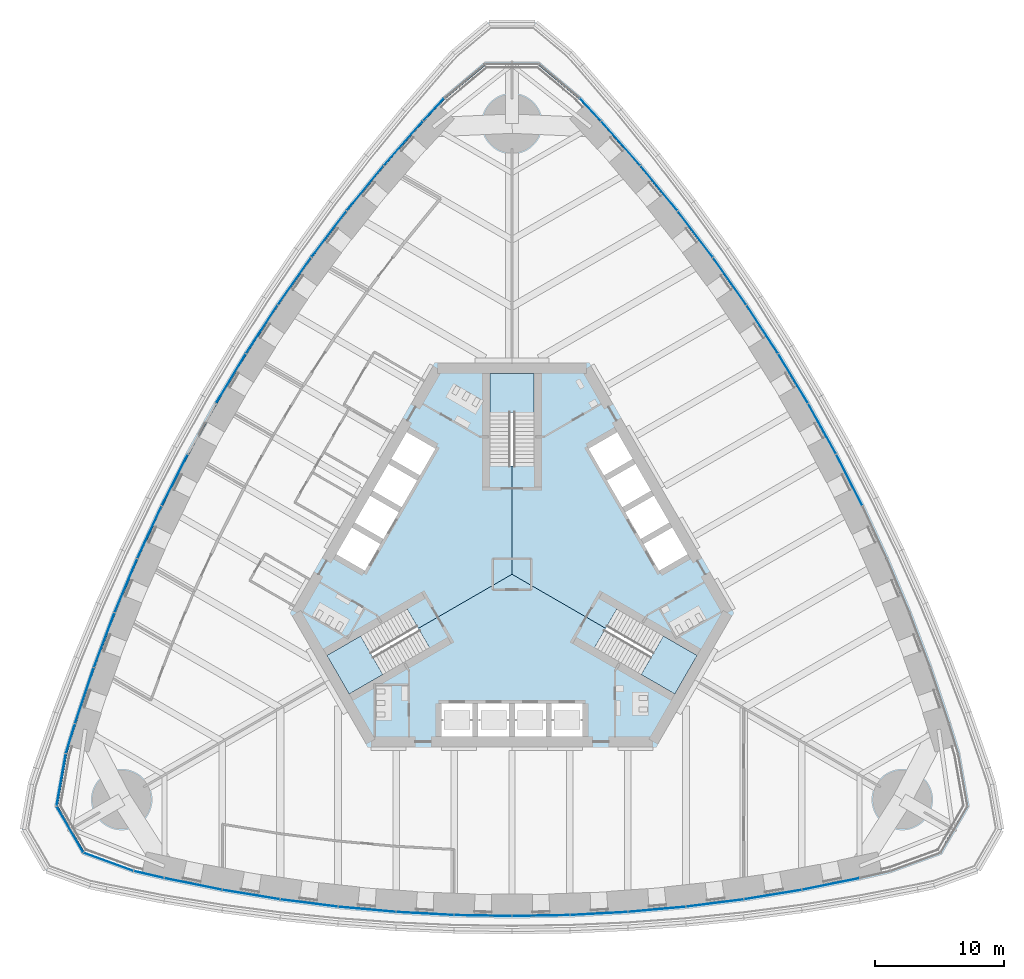
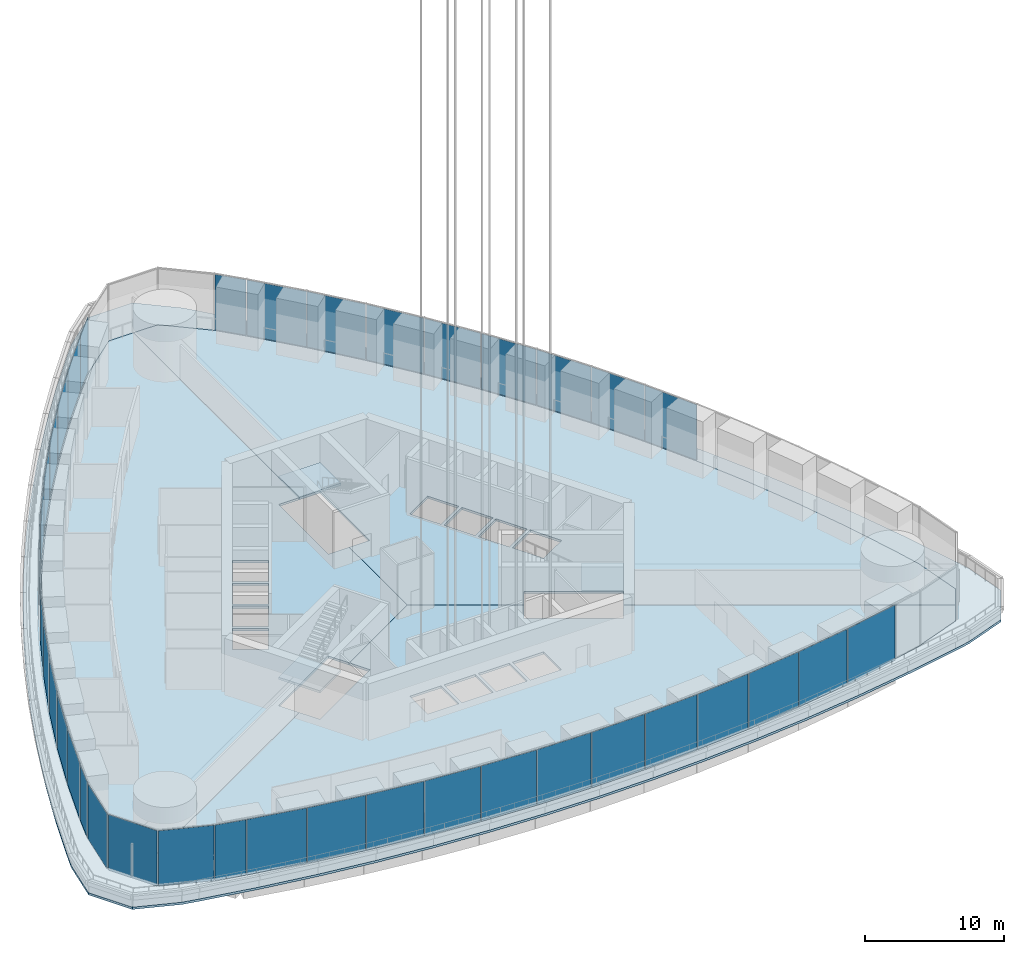
# One storey, part 12 of 33: 38 plates, 7 slabs, 8 elements without a shape of their own.
"""IFC4 building model written with IfcOpenShell, lengths in metres."""

from ifc_helpers import new_model, si_unit, direction, frame, origin, origin_2d, place, context, subcontext, project, spatial, polyline, rectangle, outline, extrude, material, layer, layer_set, type_object, element, aggregate, save


model = new_model("IFC4")

# Units and contexts
model_context = context("Model", 3, precision=1e-05, world=origin(), true_north=direction((0.0, 1.0)))
body_context = subcontext(model_context, "Body", "Model", "MODEL_VIEW")
ifc_project = project(units=[si_unit("LENGTHUNIT", "METRE"), si_unit("AREAUNIT", "SQUARE_METRE"), si_unit("VOLUMEUNIT", "CUBIC_METRE"), si_unit("PLANEANGLEUNIT", "RADIAN"), si_unit("MASSUNIT", "GRAM", prefix="KILO")], contexts=[model_context])

# Site, building, storey
site_placement = place(None, origin())
site = spatial("IfcSite", under=ifc_project, at=site_placement, CompositionType="ELEMENT")
building_placement = place(site_placement, origin())
building = spatial("IfcBuilding", under=site, at=building_placement, Name="Trefoil Bronze Tower", CompositionType="ELEMENT")
storey_placement = place(building_placement, frame((0.0, 0.0, 98.10009765625)))
storey = spatial("IfcBuildingStorey", under=building, at=storey_placement, Name="L22", CompositionType="ELEMENT", Elevation=98.10009765625)

# Curtain wall, plates
ifc_material_1 = material(Name="Tinted solar-control glass", Category="glass")
curtain_wall_type_1 = type_object("IfcCurtainWallType", Name="Bronze rounded corner curtain wall", PredefinedType="USERDEFINED", material=ifc_material_1)
curtain_wall_1_placement = place(storey_placement, origin())
curtain_wall_1 = element("IfcCurtainWall", 1, at=curtain_wall_1_placement, inside=storey, type_object=curtain_wall_type_1, Name="CW-B L22 K3", ObjectType="CURTAIN WALL", PredefinedType="USERDEFINED")
ifc_material_2 = material(Name="Tinted solar-control glass", Category="glass")
ifc_layer_1 = layer(ifc_material_2, 0.030029296875)
ifc_layer_set_1 = layer_set([ifc_layer_1], Name="Bronze rounded corner curtain wall glass panel")
plate_type_1 = type_object("IfcPlateType", Name="Bronze rounded corner curtain wall glass panel", PredefinedType="CURTAIN_PANEL", material=ifc_layer_set_1)
plate_1_placement = place(storey_placement, frame((-35.0087890625, -15.953369140625, 0.0), z_axis=(0.0, 0.0, 1.0), x_axis=(-0.173648177667, -0.984807753012, 0.0)))
plate_1 = element("IfcPlate", 2, at=plate_1_placement, type_object=plate_type_1, Name="CW-B L22 K3 panel 1", PredefinedType="CURTAIN_PANEL", context=body_context, shape_type="SweptSolid", body=[
    extrude(rectangle(XDim=4.044189453125, YDim=0.030029296875, at=origin_2d()), origin(), (0.0, 0.0, 1.0), 4.8798828125),
])
plate_2_placement = place(storey_placement, frame((-34.3271484375, -19.81884765625, 0.0), z_axis=(0.0, 0.0, 1.0), x_axis=(0.5, -0.866025403784, 0.0)))
plate_2 = element("IfcPlate", 3, at=plate_2_placement, type_object=plate_type_1, Name="CW-B L22 K3 panel 2", PredefinedType="CURTAIN_PANEL", context=body_context, shape_type="SweptSolid", body=[
    extrude(rectangle(XDim=4.044189453125, YDim=0.030029296875, at=origin_2d()), origin(), (0.0, 0.0, 1.0), 4.8798828125),
])
plate_3_placement = place(storey_placement, frame((-31.3203125, -22.341796875, 0.0), z_axis=(0.0, 0.0, 1.0), x_axis=(0.939692620786, -0.342020143326, 0.0)))
plate_3 = element("IfcPlate", 4, at=plate_3_placement, type_object=plate_type_1, Name="CW-B L22 K3 panel 3", PredefinedType="CURTAIN_PANEL", context=body_context, shape_type="SweptSolid", body=[
    extrude(rectangle(XDim=4.044189453125, YDim=0.030029296875, at=origin_2d()), origin(), (0.0, 0.0, 1.0), 4.8798828125),
])
aggregate(curtain_wall_1, [plate_1, plate_2, plate_3])

ifc_material_3 = material(Name="Tinted solar-control glass", Category="glass")
curtain_wall_type_2 = type_object("IfcCurtainWallType", Name="Bronze sky lobby curtain wall", PredefinedType="USERDEFINED", material=ifc_material_3)
curtain_wall_2_placement = place(storey_placement, origin())
curtain_wall_2 = element("IfcCurtainWall", 5, at=curtain_wall_2_placement, inside=storey, type_object=curtain_wall_type_2, Name="CW-D L22 F1", ObjectType="CURTAIN WALL", PredefinedType="USERDEFINED")
ifc_material_4 = material(Name="Tinted solar-control glass", Category="glass")
ifc_layer_2 = layer(ifc_material_4, 0.030029296875)
ifc_layer_set_2 = layer_set([ifc_layer_2], Name="Bronze sky lobby curtain wall glass panel")
plate_type_2 = type_object("IfcPlateType", Name="Bronze sky lobby curtain wall glass panel", PredefinedType="CURTAIN_PANEL", material=ifc_layer_set_2)
plate_4_placement = place(storey_placement, frame((-28.201416015625, -23.320068359375, 0.0), z_axis=(0.0, 0.0, 1.0), x_axis=(0.97420444715, -0.225667222151, 0.0)))
plate_4 = element("IfcPlate", 6, at=plate_4_placement, type_object=plate_type_2, Name="CW-D L22 F1 panel 1", PredefinedType="CURTAIN_PANEL", context=body_context, shape_type="SweptSolid", body=[
    extrude(rectangle(XDim=2.360107421875, YDim=0.030029296875, at=origin_2d()), origin(), (0.0, 0.0, 1.0), 4.8798828125),
])
plate_5_placement = place(storey_placement, frame((-24.769775390625, -24.048828125, 0.0), z_axis=(0.0, 0.0, 1.0), x_axis=(0.980155155547, -0.198231861853, 0.0)))
plate_5 = element("IfcPlate", 7, at=plate_5_placement, type_object=plate_type_2, Name="CW-D L22 F1 panel 2", PredefinedType="CURTAIN_PANEL", context=body_context, shape_type="SweptSolid", body=[
    extrude(rectangle(XDim=4.531005859375, YDim=0.030029296875, at=origin_2d()), origin(), (0.0, 0.0, 1.0), 4.8798828125),
])
plate_6_placement = place(storey_placement, frame((-20.26611328125, -24.87451171875, 0.0), z_axis=(0.0, 0.0, 1.0), x_axis=(0.986759655731, -0.162189339418, 0.0)))
plate_6 = element("IfcPlate", 8, at=plate_6_placement, type_object=plate_type_2, Name="CW-D L22 F1 panel 3", PredefinedType="CURTAIN_PANEL", context=body_context, shape_type="SweptSolid", body=[
    extrude(rectangle(XDim=4.50048828125, YDim=0.030029296875, at=origin_2d()), origin(), (0.0, 0.0, 1.0), 4.8798828125),
])
plate_7_placement = place(storey_placement, frame((-15.7626953125, -25.53076171875, 0.0), z_axis=(0.0, 0.0, 1.0), x_axis=(0.992011554286, -0.126147041833, 0.0)))
plate_7 = element("IfcPlate", 9, at=plate_7_placement, type_object=plate_type_2, Name="CW-D L22 F1 panel 4", PredefinedType="CURTAIN_PANEL", context=body_context, shape_type="SweptSolid", body=[
    extrude(rectangle(XDim=4.476318359375, YDim=0.030029296875, at=origin_2d()), origin(), (0.0, 0.0, 1.0), 4.8798828125),
])
plate_8_placement = place(storey_placement, frame((-11.259033203125, -26.02099609375, 0.0), z_axis=(0.0, 0.0, 1.0), x_axis=(0.995932279146, -0.090104913044, 0.0)))
plate_8 = element("IfcPlate", 10, at=plate_8_placement, type_object=plate_type_2, Name="CW-D L22 F1 panel 5", PredefinedType="CURTAIN_PANEL", context=body_context, shape_type="SweptSolid", body=[
    extrude(rectangle(XDim=4.45849609375, YDim=0.030029296875, at=origin_2d()), origin(), (0.0, 0.0, 1.0), 4.8798828125),
])
plate_9_placement = place(storey_placement, frame((-6.75537109375, -26.3466796875, 0.0), z_axis=(0.0, 0.0, 1.0), x_axis=(0.998537531923, -0.054062901701, 0.0)))
plate_9 = element("IfcPlate", 11, at=plate_9_placement, type_object=plate_type_2, Name="CW-D L22 F1 panel 6", PredefinedType="CURTAIN_PANEL", context=body_context, shape_type="SweptSolid", body=[
    extrude(rectangle(XDim=4.446533203125, YDim=0.030029296875, at=origin_2d()), origin(), (0.0, 0.0, 1.0), 4.8798828125),
])
plate_10_placement = place(storey_placement, frame((-2.251708984375, -26.509033203125, 0.0), z_axis=(0.0, 0.0, 1.0), x_axis=(0.999837609322, -0.018020959612, 0.0)))
plate_10 = element("IfcPlate", 12, at=plate_10_placement, type_object=plate_type_2, Name="CW-D L22 F1 panel 7", PredefinedType="CURTAIN_PANEL", context=body_context, shape_type="SweptSolid", body=[
    extrude(rectangle(XDim=4.440673828125, YDim=0.030029296875, at=origin_2d()), origin(), (0.0, 0.0, 1.0), 4.8798828125),
])
plate_11_placement = place(storey_placement, frame((2.251708984375, -26.509033203125, 0.0), z_axis=(0.0, 0.0, 1.0), x_axis=(0.999837609322, 0.018020959612, 0.0)))
plate_11 = element("IfcPlate", 13, at=plate_11_placement, type_object=plate_type_2, Name="CW-D L22 F1 panel 8", PredefinedType="CURTAIN_PANEL", context=body_context, shape_type="SweptSolid", body=[
    extrude(rectangle(XDim=4.440673828125, YDim=0.030029296875, at=origin_2d()), origin(), (0.0, 0.0, 1.0), 4.8798828125),
])
plate_12_placement = place(storey_placement, frame((6.75537109375, -26.3466796875, 0.0), z_axis=(0.0, 0.0, 1.0), x_axis=(0.998537531923, 0.054062901701, 0.0)))
plate_12 = element("IfcPlate", 14, at=plate_12_placement, type_object=plate_type_2, Name="CW-D L22 F1 panel 9", PredefinedType="CURTAIN_PANEL", context=body_context, shape_type="SweptSolid", body=[
    extrude(rectangle(XDim=4.446533203125, YDim=0.030029296875, at=origin_2d()), origin(), (0.0, 0.0, 1.0), 4.8798828125),
])
plate_13_placement = place(storey_placement, frame((11.259033203125, -26.02099609375, 0.0), z_axis=(0.0, 0.0, 1.0), x_axis=(0.995932279146, 0.090104913044, 0.0)))
plate_13 = element("IfcPlate", 15, at=plate_13_placement, type_object=plate_type_2, Name="CW-D L22 F1 panel 10", PredefinedType="CURTAIN_PANEL", context=body_context, shape_type="SweptSolid", body=[
    extrude(rectangle(XDim=4.45849609375, YDim=0.030029296875, at=origin_2d()), origin(), (0.0, 0.0, 1.0), 4.8798828125),
])
plate_14_placement = place(storey_placement, frame((15.7626953125, -25.53076171875, 0.0), z_axis=(0.0, 0.0, 1.0), x_axis=(0.992011554286, 0.126147041833, 0.0)))
plate_14 = element("IfcPlate", 16, at=plate_14_placement, type_object=plate_type_2, Name="CW-D L22 F1 panel 11", PredefinedType="CURTAIN_PANEL", context=body_context, shape_type="SweptSolid", body=[
    extrude(rectangle(XDim=4.476318359375, YDim=0.030029296875, at=origin_2d()), origin(), (0.0, 0.0, 1.0), 4.8798828125),
])
plate_15_placement = place(storey_placement, frame((20.26611328125, -24.87451171875, 0.0), z_axis=(0.0, 0.0, 1.0), x_axis=(0.986759655731, 0.162189339418, 0.0)))
plate_15 = element("IfcPlate", 17, at=plate_15_placement, type_object=plate_type_2, Name="CW-D L22 F1 panel 12", PredefinedType="CURTAIN_PANEL", context=body_context, shape_type="SweptSolid", body=[
    extrude(rectangle(XDim=4.50048828125, YDim=0.030029296875, at=origin_2d()), origin(), (0.0, 0.0, 1.0), 4.8798828125),
])
plate_16_placement = place(storey_placement, frame((24.769775390625, -24.048828125, 0.0), z_axis=(0.0, 0.0, 1.0), x_axis=(0.980155155547, 0.198231861853, 0.0)))
plate_16 = element("IfcPlate", 18, at=plate_16_placement, type_object=plate_type_2, Name="CW-D L22 F1 panel 13", PredefinedType="CURTAIN_PANEL", context=body_context, shape_type="SweptSolid", body=[
    extrude(rectangle(XDim=4.531005859375, YDim=0.030029296875, at=origin_2d()), origin(), (0.0, 0.0, 1.0), 4.8798828125),
])
aggregate(curtain_wall_2, [plate_4, plate_5, plate_6, plate_7, plate_8, plate_9, plate_10, plate_11, plate_12, plate_13, plate_14, plate_15, plate_16])

curtain_wall_3_placement = place(storey_placement, origin())
curtain_wall_3 = element("IfcCurtainWall", 19, at=curtain_wall_3_placement, inside=storey, type_object=curtain_wall_type_2, Name="CW-D L22 F2", ObjectType="CURTAIN WALL", PredefinedType="USERDEFINED")
plate_17_placement = place(storey_placement, frame((26.194580078125, 7.322998046875, 0.0), z_axis=(0.0, 0.0, 1.0), x_axis=(-0.452448919686, 0.891790320128, 0.0)))
plate_17 = element("IfcPlate", 20, at=plate_17_placement, type_object=plate_type_2, Name="CW-D L22 F2 panel 6", PredefinedType="CURTAIN_PANEL", context=body_context, shape_type="SweptSolid", body=[
    extrude(rectangle(XDim=4.446533203125, YDim=0.030029296875, at=origin_2d()), origin(), (0.0, 0.0, 1.0), 4.8798828125),
])
plate_18_placement = place(storey_placement, frame((24.08349609375, 11.304443359375, 0.0), z_axis=(0.0, 0.0, 1.0), x_axis=(-0.484312195836, 0.874895249138, 0.0)))
plate_18 = element("IfcPlate", 21, at=plate_18_placement, type_object=plate_type_2, Name="CW-D L22 F2 panel 7", PredefinedType="CURTAIN_PANEL", context=body_context, shape_type="SweptSolid", body=[
    extrude(rectangle(XDim=4.440673828125, YDim=0.030029296875, at=origin_2d()), origin(), (0.0, 0.0, 1.0), 4.8798828125),
])
plate_19_placement = place(storey_placement, frame((21.83154296875, 15.20458984375, 0.0), z_axis=(0.0, 0.0, 1.0), x_axis=(-0.515525413486, 0.856874289526, 0.0)))
plate_19 = element("IfcPlate", 22, at=plate_19_placement, type_object=plate_type_2, Name="CW-D L22 F2 panel 8", PredefinedType="CURTAIN_PANEL", context=body_context, shape_type="SweptSolid", body=[
    extrude(rectangle(XDim=4.440673828125, YDim=0.030029296875, at=origin_2d()), origin(), (0.0, 0.0, 1.0), 4.8798828125),
])
plate_20_placement = place(storey_placement, frame((19.439208984375, 19.023681640625, 0.0), z_axis=(0.0, 0.0, 1.0), x_axis=(-0.546088612237, 0.837727418427, 0.0)))
plate_20 = element("IfcPlate", 23, at=plate_20_placement, type_object=plate_type_2, Name="CW-D L22 F2 panel 9", PredefinedType="CURTAIN_PANEL", context=body_context, shape_type="SweptSolid", body=[
    extrude(rectangle(XDim=4.446533203125, YDim=0.030029296875, at=origin_2d()), origin(), (0.0, 0.0, 1.0), 4.8798828125),
])
plate_21_placement = place(storey_placement, frame((16.9052734375, 22.760986328125, 0.0), z_axis=(0.0, 0.0, 1.0), x_axis=(-0.575999283275, 0.817450197667, 0.0)))
plate_21 = element("IfcPlate", 24, at=plate_21_placement, type_object=plate_type_2, Name="CW-D L22 F2 panel 10", PredefinedType="CURTAIN_PANEL", context=body_context, shape_type="SweptSolid", body=[
    extrude(rectangle(XDim=4.45849609375, YDim=0.030029296875, at=origin_2d()), origin(), (0.0, 0.0, 1.0), 4.8798828125),
])
plate_22_placement = place(storey_placement, frame((14.22900390625, 26.416259765625, 0.0), z_axis=(0.0, 0.0, 1.0), x_axis=(-0.605252319983, 0.796033685943, 0.0)))
plate_22 = element("IfcPlate", 25, at=plate_22_placement, type_object=plate_type_2, Name="CW-D L22 F2 panel 11", PredefinedType="CURTAIN_PANEL", context=body_context, shape_type="SweptSolid", body=[
    extrude(rectangle(XDim=4.476318359375, YDim=0.030029296875, at=origin_2d()), origin(), (0.0, 0.0, 1.0), 4.8798828125),
])
plate_23_placement = place(storey_placement, frame((11.40869140625, 29.98828125, 0.0), z_axis=(0.0, 0.0, 1.0), x_axis=(-0.633839916024, 0.773464259584, 0.0)))
plate_23 = element("IfcPlate", 26, at=plate_23_placement, type_object=plate_type_2, Name="CW-D L22 F2 panel 12", PredefinedType="CURTAIN_PANEL", context=body_context, shape_type="SweptSolid", body=[
    extrude(rectangle(XDim=4.50048828125, YDim=0.030029296875, at=origin_2d()), origin(), (0.0, 0.0, 1.0), 4.8798828125),
])
plate_24_placement = place(storey_placement, frame((8.442138671875, 33.475830078125, 0.0), z_axis=(0.0, 0.0, 1.0), x_axis=(-0.661751405978, 0.749723333428, 0.0)))
plate_24 = element("IfcPlate", 27, at=plate_24_placement, type_object=plate_type_2, Name="CW-D L22 F2 panel 13", PredefinedType="CURTAIN_PANEL", context=body_context, shape_type="SweptSolid", body=[
    extrude(rectangle(XDim=4.531005859375, YDim=0.030029296875, at=origin_2d()), origin(), (0.0, 0.0, 1.0), 4.8798828125),
])
plate_25_placement = place(storey_placement, frame((6.09521484375, 36.083251953125, 0.0), z_axis=(0.0, 0.0, 1.0), x_axis=(-0.682535770759, 0.730852188636, 0.0)))
plate_25 = element("IfcPlate", 28, at=plate_25_placement, type_object=plate_type_2, Name="CW-D L22 F2 panel 14", PredefinedType="CURTAIN_PANEL", context=body_context, shape_type="SweptSolid", body=[
    extrude(rectangle(XDim=2.360107421875, YDim=0.030029296875, at=origin_2d()), origin(), (0.0, 0.0, 1.0), 4.8798828125),
])
aggregate(curtain_wall_3, [plate_17, plate_18, plate_19, plate_20, plate_21, plate_22, plate_23, plate_24, plate_25])

curtain_wall_4_placement = place(storey_placement, origin())
curtain_wall_4 = element("IfcCurtainWall", 29, at=curtain_wall_4_placement, inside=storey, type_object=curtain_wall_type_2, Name="CW-D L22 F3 run 1", ObjectType="CURTAIN WALL", PredefinedType="USERDEFINED")
plate_26_placement = place(storey_placement, frame((-6.09521484375, 36.083251953125, 0.0), z_axis=(0.0, 0.0, 1.0), x_axis=(-0.682535770759, -0.730852188636, 0.0)))
plate_26 = element("IfcPlate", 30, at=plate_26_placement, type_object=plate_type_2, Name="CW-D L22 F3 run 1 panel 1", PredefinedType="CURTAIN_PANEL", context=body_context, shape_type="SweptSolid", body=[
    extrude(rectangle(XDim=2.360107421875, YDim=0.030029296875, at=origin_2d()), origin(), (0.0, 0.0, 1.0), 4.8798828125),
])
plate_27_placement = place(storey_placement, frame((-8.442138671875, 33.475830078125, 0.0), z_axis=(0.0, 0.0, 1.0), x_axis=(-0.661751405978, -0.749723333428, 0.0)))
plate_27 = element("IfcPlate", 31, at=plate_27_placement, type_object=plate_type_2, Name="CW-D L22 F3 run 1 panel 2", PredefinedType="CURTAIN_PANEL", context=body_context, shape_type="SweptSolid", body=[
    extrude(rectangle(XDim=4.531005859375, YDim=0.030029296875, at=origin_2d()), origin(), (0.0, 0.0, 1.0), 4.8798828125),
])
plate_28_placement = place(storey_placement, frame((-11.40869140625, 29.98828125, 0.0), z_axis=(0.0, 0.0, 1.0), x_axis=(-0.633839916024, -0.773464259584, 0.0)))
plate_28 = element("IfcPlate", 32, at=plate_28_placement, type_object=plate_type_2, Name="CW-D L22 F3 run 1 panel 3", PredefinedType="CURTAIN_PANEL", context=body_context, shape_type="SweptSolid", body=[
    extrude(rectangle(XDim=4.50048828125, YDim=0.030029296875, at=origin_2d()), origin(), (0.0, 0.0, 1.0), 4.8798828125),
])
plate_29_placement = place(storey_placement, frame((-14.22900390625, 26.416259765625, 0.0), z_axis=(0.0, 0.0, 1.0), x_axis=(-0.605252319983, -0.796033685943, 0.0)))
plate_29 = element("IfcPlate", 33, at=plate_29_placement, type_object=plate_type_2, Name="CW-D L22 F3 run 1 panel 4", PredefinedType="CURTAIN_PANEL", context=body_context, shape_type="SweptSolid", body=[
    extrude(rectangle(XDim=4.476318359375, YDim=0.030029296875, at=origin_2d()), origin(), (0.0, 0.0, 1.0), 4.8798828125),
])
plate_30_placement = place(storey_placement, frame((-16.9052734375, 22.760986328125, 0.0), z_axis=(0.0, 0.0, 1.0), x_axis=(-0.575999283275, -0.817450197667, 0.0)))
plate_30 = element("IfcPlate", 34, at=plate_30_placement, type_object=plate_type_2, Name="CW-D L22 F3 run 1 panel 5", PredefinedType="CURTAIN_PANEL", context=body_context, shape_type="SweptSolid", body=[
    extrude(rectangle(XDim=4.45849609375, YDim=0.030029296875, at=origin_2d()), origin(), (0.0, 0.0, 1.0), 4.8798828125),
])
plate_31_placement = place(storey_placement, frame((-19.439208984375, 19.023681640625, 0.0), z_axis=(0.0, 0.0, 1.0), x_axis=(-0.546088612237, -0.837727418427, 0.0)))
plate_31 = element("IfcPlate", 35, at=plate_31_placement, type_object=plate_type_2, Name="CW-D L22 F3 run 1 panel 6", PredefinedType="CURTAIN_PANEL", context=body_context, shape_type="SweptSolid", body=[
    extrude(rectangle(XDim=4.446533203125, YDim=0.030029296875, at=origin_2d()), origin(), (0.0, 0.0, 1.0), 4.8798828125),
])
plate_32_placement = place(storey_placement, frame((-21.83154296875, 15.20458984375, 0.0), z_axis=(0.0, 0.0, 1.0), x_axis=(-0.515525413486, -0.856874289526, 0.0)))
plate_32 = element("IfcPlate", 36, at=plate_32_placement, type_object=plate_type_2, Name="CW-D L22 F3 run 1 panel 7", PredefinedType="CURTAIN_PANEL", context=body_context, shape_type="SweptSolid", body=[
    extrude(rectangle(XDim=4.440673828125, YDim=0.030029296875, at=origin_2d()), origin(), (0.0, 0.0, 1.0), 4.8798828125),
])
aggregate(curtain_wall_4, [plate_26, plate_27, plate_28, plate_29, plate_30, plate_31, plate_32])

curtain_wall_5_placement = place(storey_placement, origin())
curtain_wall_5 = element("IfcCurtainWall", 37, at=curtain_wall_5_placement, inside=storey, type_object=curtain_wall_type_2, Name="CW-D L22 F3 run 3", ObjectType="CURTAIN WALL", PredefinedType="USERDEFINED")
plate_33_placement = place(storey_placement, frame((-26.194580078125, 7.322998046875, 0.0), z_axis=(0.0, 0.0, 1.0), x_axis=(-0.452448919686, -0.891790320128, 0.0)))
plate_33 = element("IfcPlate", 38, at=plate_33_placement, type_object=plate_type_2, Name="CW-D L22 F3 run 3 panel 1", PredefinedType="CURTAIN_PANEL", context=body_context, shape_type="SweptSolid", body=[
    extrude(rectangle(XDim=4.446533203125, YDim=0.030029296875, at=origin_2d()), origin(), (0.0, 0.0, 1.0), 4.8798828125),
])
plate_34_placement = place(storey_placement, frame((-28.164306640625, 3.260009765625, 0.0), z_axis=(0.0, 0.0, 1.0), x_axis=(-0.419932995871, -0.907555110712, 0.0)))
plate_34 = element("IfcPlate", 39, at=plate_34_placement, type_object=plate_type_2, Name="CW-D L22 F3 run 3 panel 2", PredefinedType="CURTAIN_PANEL", context=body_context, shape_type="SweptSolid", body=[
    extrude(rectangle(XDim=4.45849609375, YDim=0.030029296875, at=origin_2d()), origin(), (0.0, 0.0, 1.0), 4.8798828125),
])
plate_35_placement = place(storey_placement, frame((-29.99169921875, -0.885498046875, 0.0), z_axis=(0.0, 0.0, 1.0), x_axis=(-0.386759234303, -0.922180727776, 0.0)))
plate_35 = element("IfcPlate", 40, at=plate_35_placement, type_object=plate_type_2, Name="CW-D L22 F3 run 3 panel 3", PredefinedType="CURTAIN_PANEL", context=body_context, shape_type="SweptSolid", body=[
    extrude(rectangle(XDim=4.476318359375, YDim=0.030029296875, at=origin_2d()), origin(), (0.0, 0.0, 1.0), 4.8798828125),
])
plate_36_placement = place(storey_placement, frame((-31.675048828125, -5.11376953125, 0.0), z_axis=(0.0, 0.0, 1.0), x_axis=(-0.352919739707, -0.935653599002, 0.0)))
plate_36 = element("IfcPlate", 41, at=plate_36_placement, type_object=plate_type_2, Name="CW-D L22 F3 run 3 panel 4", PredefinedType="CURTAIN_PANEL", context=body_context, shape_type="SweptSolid", body=[
    extrude(rectangle(XDim=4.50048828125, YDim=0.030029296875, at=origin_2d()), origin(), (0.0, 0.0, 1.0), 4.8798828125),
])
plate_37_placement = place(storey_placement, frame((-33.2119140625, -9.4267578125, 0.0), z_axis=(0.0, 0.0, 1.0), x_axis=(-0.318403749569, -0.947955195281, 0.0)))
plate_37 = element("IfcPlate", 42, at=plate_37_placement, type_object=plate_type_2, Name="CW-D L22 F3 run 3 panel 5", PredefinedType="CURTAIN_PANEL", context=body_context, shape_type="SweptSolid", body=[
    extrude(rectangle(XDim=4.531005859375, YDim=0.030029296875, at=origin_2d()), origin(), (0.0, 0.0, 1.0), 4.8798828125),
])
plate_38_placement = place(storey_placement, frame((-34.296630859375, -12.762939453125, 0.0), z_axis=(0.0, 0.0, 1.0), x_axis=(-0.291668676391, -0.956519410787, 0.0)))
plate_38 = element("IfcPlate", 43, at=plate_38_placement, type_object=plate_type_2, Name="CW-D L22 F3 run 3 panel 6", PredefinedType="CURTAIN_PANEL", context=body_context, shape_type="SweptSolid", body=[
    extrude(rectangle(XDim=2.360107421875, YDim=0.030029296875, at=origin_2d()), origin(), (0.0, 0.0, 1.0), 4.8798828125),
])
aggregate(curtain_wall_5, [plate_33, plate_34, plate_35, plate_36, plate_37, plate_38])

# Slabs
ifc_material_5 = material(Name="Concrete B30", Category="concrete")
ifc_layer_3 = layer(ifc_material_5, 0.199951171875)
ifc_layer_set_3 = layer_set([ifc_layer_3], Name="Floor slab 200")
slab_type_1 = type_object("IfcSlabType", Name="Floor slab 200", PredefinedType="FLOOR", material=ifc_layer_set_3)
slab_1_placement = place(storey_placement, frame((0.0, 0.0, -0.2001953125)))
element("IfcSlab", 44, at=slab_1_placement, inside=storey, type_object=slab_type_1, Name="Floor slab L22 face 1", PredefinedType="FLOOR", context=body_context, shape_type="SweptSolid", body=[
    extrude(outline(polyline([(22.5, -24.406005859375), (18.0, -25.1455078125), (13.5, -25.7177734375), (9.0, -26.125), (4.5, -26.36865234375), (0.0, -26.44970703125), (-4.5, -26.36865234375), (-9.0, -26.125), (-13.5, -25.7177734375), (-18.0, -25.1455078125), (-22.5, -24.406005859375), (-27.0, -23.495849609375), (-29.357666015625, -22.94970703125), (-33.21435546875, -21.5458984375), (-34.240478515625, -19.768798828125), (-13.510009765625, -7.800048828125), (-12.6474609375, -9.2939453125), (-6.412109375, -5.69384765625), (-7.274658203125, -4.199951171875), (0.0, 0.0), (7.274658203125, -4.199951171875), (6.412109375, -5.69384765625), (12.6474609375, -9.2939453125), (13.510009765625, -7.800048828125), (34.240478515625, -19.768798828125), (33.21435546875, -21.5458984375), (29.357666015625, -22.94970703125), (27.0, -23.495849609375), (22.5, -24.406005859375)]), holes=[polyline([(-5.574951171875, -10.02490234375), (-2.97509765625, -10.02490234375), (-2.97509765625, -12.60009765625), (-5.574951171875, -12.60009765625), (-5.574951171875, -10.02490234375)]), polyline([(-2.72509765625, -10.02490234375), (-0.125, -10.02490234375), (-0.125, -12.60009765625), (-2.72509765625, -12.60009765625), (-2.72509765625, -10.02490234375)]), polyline([(0.125, -10.02490234375), (2.72509765625, -10.02490234375), (2.72509765625, -12.60009765625), (0.125, -12.60009765625), (0.125, -10.02490234375)]), polyline([(2.97509765625, -10.02490234375), (5.574951171875, -10.02490234375), (5.574951171875, -12.60009765625), (2.97509765625, -12.60009765625), (2.97509765625, -10.02490234375)])]), origin(), (0.0, 0.0, 1.0), 0.2001953125),
])
slab_2_placement = place(storey_placement, frame((0.0, 0.0, -0.2001953125)))
element("IfcSlab", 45, at=slab_2_placement, inside=storey, type_object=slab_type_1, Name="Floor slab L22 face 2", PredefinedType="FLOOR", context=body_context, shape_type="SweptSolid", body=[
    extrude(outline(polyline([(9.88623046875, 31.6884765625), (12.776611328125, 28.1611328125), (15.522216796875, 24.55029296875), (18.124755859375, 20.856689453125), (20.5859375, 17.081298828125), (22.906005859375, 13.224853515625), (25.0859375, 9.287109375), (27.124755859375, 5.268310546875), (29.022216796875, 1.16748046875), (30.776611328125, -3.015625), (32.38623046875, -7.28271484375), (33.847900390625, -11.634765625), (34.553955078125, -13.94970703125), (35.2666015625, -17.991455078125), (34.240478515625, -19.768798828125), (13.510009765625, -7.800048828125), (14.37255859375, -6.30615234375), (8.13720703125, -2.7060546875), (7.274658203125, -4.199951171875), (0.0, 0.0), (0.0, 8.39990234375), (1.72509765625, 8.39990234375), (1.72509765625, 15.60009765625), (0.0, 15.60009765625), (0.0, 39.53759765625), (2.052001953125, 39.53759765625), (5.196044921875, 36.8994140625), (6.847900390625, 35.130615234375), (9.88623046875, 31.6884765625)]), holes=[polyline([(11.469482421875, 0.184326171875), (10.16943359375, 2.43603515625), (12.3994140625, 3.7236328125), (13.699462890625, 1.471923828125), (11.469482421875, 0.184326171875)]), polyline([(10.04443359375, 2.652587890625), (8.744384765625, 4.904296875), (10.974365234375, 6.191650390625), (12.2744140625, 3.940185546875), (10.04443359375, 2.652587890625)]), polyline([(8.619384765625, 5.120849609375), (7.3193359375, 7.372314453125), (9.54931640625, 8.659912109375), (10.849365234375, 6.408203125), (8.619384765625, 5.120849609375)]), polyline([(7.1943359375, 7.5888671875), (5.894287109375, 9.840576171875), (8.12451171875, 11.128173828125), (9.42431640625, 8.87646484375), (7.1943359375, 7.5888671875)])]), origin(), (0.0, 0.0, 1.0), 0.2001953125),
])
slab_3_placement = place(storey_placement, frame((0.0, 0.0, -0.2001953125)))
element("IfcSlab", 46, at=slab_3_placement, inside=storey, type_object=slab_type_1, Name="Floor slab L22 face 3", PredefinedType="FLOOR", context=body_context, shape_type="SweptSolid", body=[
    extrude(outline(polyline([(-32.38623046875, -7.28271484375), (-30.776611328125, -3.015625), (-29.022216796875, 1.16748046875), (-27.124755859375, 5.268310546875), (-25.0859375, 9.287109375), (-22.906005859375, 13.224853515625), (-20.5859375, 17.081298828125), (-18.124755859375, 20.856689453125), (-15.522216796875, 24.55029296875), (-12.776611328125, 28.1611328125), (-9.88623046875, 31.6884765625), (-6.847900390625, 35.130615234375), (-5.196044921875, 36.8994140625), (-2.052001953125, 39.53759765625), (0.0, 39.53759765625), (0.0, 15.60009765625), (-1.72509765625, 15.60009765625), (-1.72509765625, 8.39990234375), (0.0, 8.39990234375), (0.0, 0.0), (-7.274658203125, -4.199951171875), (-8.13720703125, -2.7060546875), (-14.37255859375, -6.30615234375), (-13.510009765625, -7.800048828125), (-34.240478515625, -19.768798828125), (-35.2666015625, -17.991455078125), (-34.553955078125, -13.94970703125), (-33.847900390625, -11.634765625), (-32.38623046875, -7.28271484375)]), holes=[polyline([(-5.894287109375, 9.840576171875), (-7.1943359375, 7.5888671875), (-9.42431640625, 8.87646484375), (-8.12451171875, 11.128173828125), (-5.894287109375, 9.840576171875)]), polyline([(-7.3193359375, 7.372314453125), (-8.619384765625, 5.120849609375), (-10.849365234375, 6.408203125), (-9.54931640625, 8.659912109375), (-7.3193359375, 7.372314453125)]), polyline([(-8.744384765625, 4.904296875), (-10.04443359375, 2.652587890625), (-12.2744140625, 3.940185546875), (-10.974365234375, 6.191650390625), (-8.744384765625, 4.904296875)]), polyline([(-10.16943359375, 2.43603515625), (-11.469482421875, 0.184326171875), (-13.699462890625, 1.471923828125), (-12.3994140625, 3.7236328125), (-10.16943359375, 2.43603515625)])]), origin(), (0.0, 0.0, 1.0), 0.2001953125),
])
ifc_material_6 = material(Name="Concrete B30", Category="concrete")
ifc_layer_4 = layer(ifc_material_6, 0.199951171875)
ifc_layer_set_4 = layer_set([ifc_layer_4], Name="Setback maintenance roof 200")
slab_type_2 = type_object("IfcSlabType", Name="Setback maintenance roof 200", PredefinedType="ROOF", material=ifc_layer_set_4)
slab_4_placement = place(storey_placement, frame((0.0, 0.0, -0.2001953125)))
element("IfcSlab", 47, at=slab_4_placement, inside=storey, type_object=slab_type_2, Name="Setback maintenance roof L22", PredefinedType="ROOF", context=body_context, shape_type="SweptSolid", body=[
    extrude(outline(polyline([(-32.762451171875, -24.248779296875), (-31.5, -24.51611328125), (-27.0, -25.38037109375), (-22.5, -26.10791015625), (-18.0, -26.70068359375), (-13.5, -27.159912109375), (-9.0, -27.4873046875), (-4.5, -27.683349609375), (0.0, -27.748779296875), (4.5, -27.683349609375), (9.0, -27.4873046875), (13.5, -27.159912109375), (18.0, -26.70068359375), (22.5, -26.10791015625), (27.0, -25.38037109375), (31.5, -24.51611328125), (32.762451171875, -24.248779296875), (36.190673828125, -23.0009765625), (38.0146484375, -19.841552734375), (37.381103515625, -16.248779296875), (36.9814453125, -15.021728515625), (35.47998046875, -10.6923828125), (33.860107421875, -6.431640625), (32.123291015625, -2.238037109375), (30.271240234375, 1.888671875), (28.3046875, 5.949462890625), (26.224609375, 9.944580078125), (24.031005859375, 13.874267578125), (21.724609375, 17.73876953125), (19.3046875, 21.537841796875), (16.771240234375, 25.271240234375), (14.123291015625, 28.938720703125), (11.360107421875, 32.53955078125), (8.47998046875, 36.07275390625), (5.4814453125, 39.537841796875), (4.618896484375, 40.497314453125), (1.82421875, 42.842529296875), (-1.82421875, 42.842529296875), (-4.618896484375, 40.497314453125), (-5.4814453125, 39.537841796875), (-8.47998046875, 36.07275390625), (-11.360107421875, 32.53955078125), (-14.123291015625, 28.938720703125), (-16.771240234375, 25.271240234375), (-19.3046875, 21.537841796875), (-21.724609375, 17.73876953125), (-24.031005859375, 13.874267578125), (-26.224609375, 9.944580078125), (-28.3046875, 5.949462890625), (-30.271240234375, 1.888671875), (-32.123291015625, -2.238037109375), (-33.860107421875, -6.431640625), (-35.47998046875, -10.6923828125), (-36.9814453125, -15.021728515625), (-37.381103515625, -16.248779296875), (-38.0146484375, -19.841552734375), (-36.190673828125, -23.0009765625), (-32.762451171875, -24.248779296875)]), holes=[polyline([(-29.357666015625, -22.94970703125), (-27.0, -23.495849609375), (-22.5, -24.406005859375), (-18.0, -25.1455078125), (-13.5, -25.7177734375), (-9.0, -26.125), (-4.5, -26.36865234375), (0.0, -26.44970703125), (4.5, -26.36865234375), (9.0, -26.125), (13.5, -25.7177734375), (18.0, -25.1455078125), (22.5, -24.406005859375), (27.0, -23.495849609375), (29.357666015625, -22.94970703125), (33.21435546875, -21.5458984375), (35.2666015625, -17.991455078125), (34.553955078125, -13.94970703125), (33.847900390625, -11.634765625), (32.38623046875, -7.28271484375), (30.776611328125, -3.015625), (29.022216796875, 1.16748046875), (27.124755859375, 5.268310546875), (25.0859375, 9.287109375), (22.906005859375, 13.224853515625), (20.5859375, 17.081298828125), (18.124755859375, 20.856689453125), (15.522216796875, 24.55029296875), (12.776611328125, 28.1611328125), (9.88623046875, 31.6884765625), (6.847900390625, 35.130615234375), (5.196044921875, 36.8994140625), (2.052001953125, 39.53759765625), (-2.052001953125, 39.53759765625), (-5.196044921875, 36.8994140625), (-6.847900390625, 35.130615234375), (-9.88623046875, 31.6884765625), (-12.776611328125, 28.1611328125), (-15.522216796875, 24.55029296875), (-18.124755859375, 20.856689453125), (-20.5859375, 17.081298828125), (-22.906005859375, 13.224853515625), (-25.0859375, 9.287109375), (-27.124755859375, 5.268310546875), (-29.022216796875, 1.16748046875), (-30.776611328125, -3.015625), (-32.38623046875, -7.28271484375), (-33.847900390625, -11.634765625), (-34.553955078125, -13.94970703125), (-35.2666015625, -17.991455078125), (-33.21435546875, -21.5458984375), (-29.357666015625, -22.94970703125)])]), origin(), (0.0, 0.0, 1.0), 0.2001953125),
])

# Stair, slab
ifc_material_7 = material(Name="Precast concrete B80", Category="concrete")
stair_type = type_object("IfcStairType", Name="Exit stair 30 risers", PredefinedType="HALF_TURN_STAIR", material=ifc_material_7)
stair_1_placement = place(storey_placement, origin())
stair_1 = element("IfcStair", 48, at=stair_1_placement, inside=storey, type_object=stair_type, Name="Stair ST1 L22", PredefinedType="HALF_TURN_STAIR")
ifc_material_8 = material(Name="Concrete B30", Category="concrete")
ifc_layer_5 = layer(ifc_material_8, 0.199951171875)
ifc_layer_set_5 = layer_set([ifc_layer_5], Name="Stair landing 200")
slab_type_3 = type_object("IfcSlabType", Name="Stair landing 200", PredefinedType="LANDING", material=ifc_layer_set_5)
slab_5_placement = place(storey_placement, frame((0.0, 0.0, 2.2998046875)))
slab_5 = element("IfcSlab", 49, at=slab_5_placement, type_object=slab_type_3, Name="ST1 landing 1", PredefinedType="LANDING", context=body_context, shape_type="SweptSolid", body=[
    extrude(outline(polyline([(10.031982421875, -7.783935546875), (12.6474609375, -9.2939453125), (14.37255859375, -6.30615234375), (11.757080078125, -4.796142578125), (10.031982421875, -7.783935546875)])), origin(), (0.0, 0.0, 1.0), 0.2001953125),
])
aggregate(stair_1, [slab_5])

stair_2_placement = place(storey_placement, origin())
stair_2 = element("IfcStair", 50, at=stair_2_placement, inside=storey, type_object=stair_type, Name="Stair ST2 L22", PredefinedType="HALF_TURN_STAIR")
slab_6_placement = place(storey_placement, frame((0.0, 0.0, 2.2998046875)))
slab_6 = element("IfcSlab", 51, at=slab_6_placement, type_object=slab_type_3, Name="ST2 landing 1", PredefinedType="LANDING", context=body_context, shape_type="SweptSolid", body=[
    extrude(outline(polyline([(1.72509765625, 12.580078125), (1.72509765625, 15.60009765625), (-1.72509765625, 15.60009765625), (-1.72509765625, 12.580078125), (1.72509765625, 12.580078125)])), origin(), (0.0, 0.0, 1.0), 0.2001953125),
])
aggregate(stair_2, [slab_6])

stair_3_placement = place(storey_placement, origin())
stair_3 = element("IfcStair", 52, at=stair_3_placement, inside=storey, type_object=stair_type, Name="Stair ST3 L22", PredefinedType="HALF_TURN_STAIR")
slab_7_placement = place(storey_placement, frame((0.0, 0.0, 2.2998046875)))
slab_7 = element("IfcSlab", 53, at=slab_7_placement, type_object=slab_type_3, Name="ST3 landing 1", PredefinedType="LANDING", context=body_context, shape_type="SweptSolid", body=[
    extrude(outline(polyline([(-11.757080078125, -4.796142578125), (-14.37255859375, -6.30615234375), (-12.6474609375, -9.2939453125), (-10.031982421875, -7.783935546875), (-11.757080078125, -4.796142578125)])), origin(), (0.0, 0.0, 1.0), 0.2001953125),
])
aggregate(stair_3, [slab_7])

save(model, "model.ifc")
